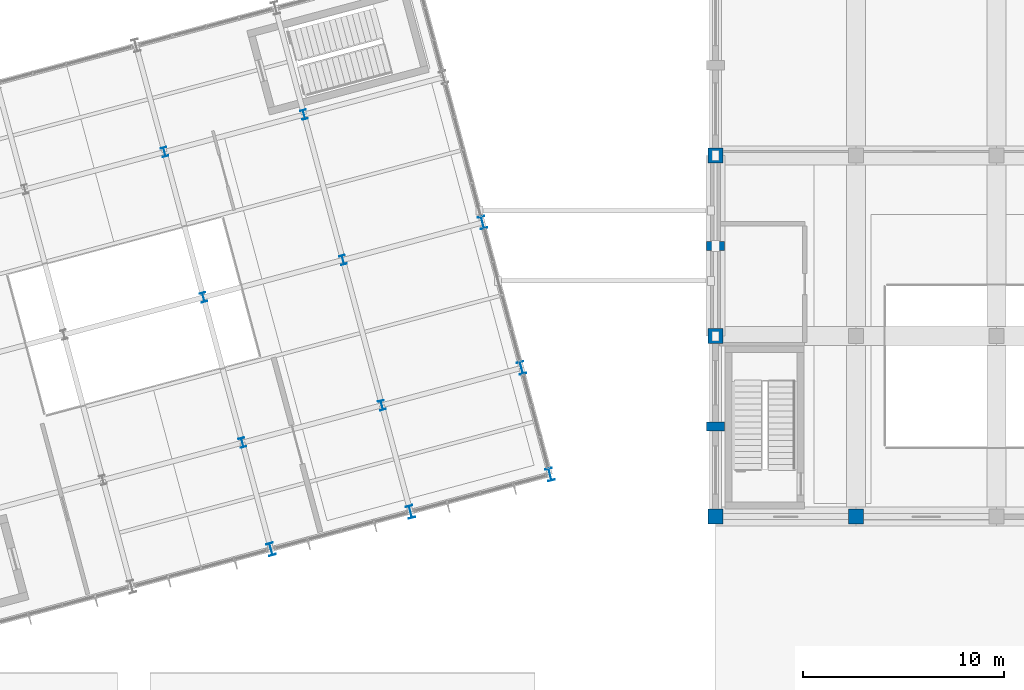
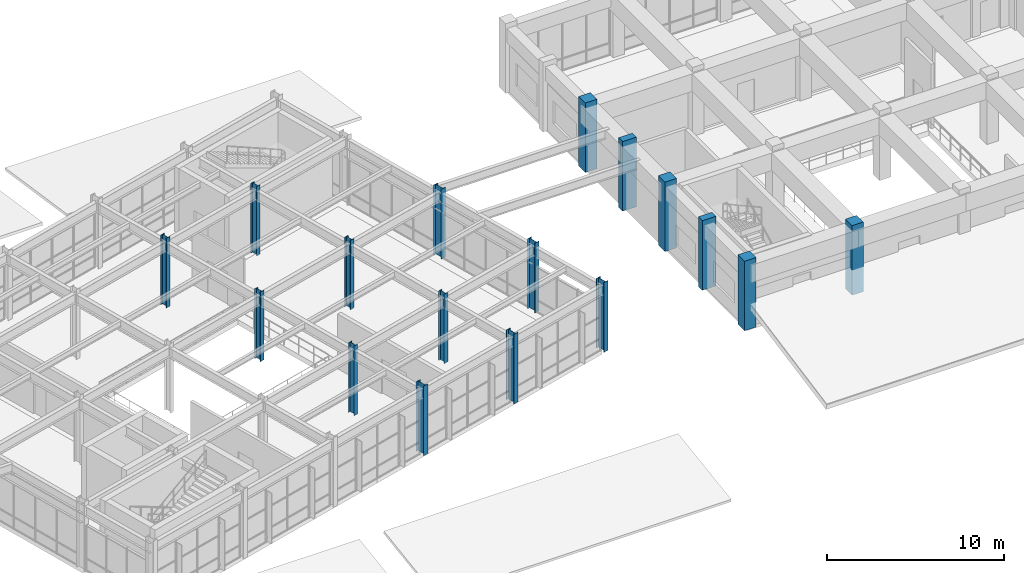
# One storey, part 4 of 104: 17 columns.
"""IFC4 building model written with IfcOpenShell, lengths in metres."""

from ifc_helpers import new_model, si_unit, direction, frame, origin, origin_2d, place, context, subcontext, project, spatial, rectangle, i_section, extrude, material, material_profile, profile_set, type_object, element, save


model = new_model("IFC4")

# Units and contexts
model_context = context("Model", 3, precision=1e-05, world=origin(), true_north=direction((0.0, 1.0)))
body_context = subcontext(model_context, "Body", "Model", "MODEL_VIEW")
ifc_project = project(units=[si_unit("LENGTHUNIT", "METRE"), si_unit("AREAUNIT", "SQUARE_METRE"), si_unit("VOLUMEUNIT", "CUBIC_METRE"), si_unit("PLANEANGLEUNIT", "RADIAN"), si_unit("MASSUNIT", "GRAM", prefix="KILO")], contexts=[model_context])

# Site, building, storey
site_placement = place(None, origin())
site = spatial("IfcSite", under=ifc_project, at=site_placement, CompositionType="ELEMENT")
building_placement = place(site_placement, origin())
building = spatial("IfcBuilding", under=site, at=building_placement, Name="Ventoquebrada Cableway Terminal", CompositionType="ELEMENT")
storey_placement = place(building_placement, frame((0.0, 0.0, 4.800048828125)))
storey = spatial("IfcBuildingStorey", under=building, at=storey_placement, Name="L01", CompositionType="ELEMENT", Elevation=4.800048828125)

# Columns
ifc_material_1 = material(Name="Concrete C40/50", Category="concrete")
ifc_material_profile_1 = material_profile(ifc_material_1, rectangle(XDim=0.75, YDim=0.75, at=origin_2d()), Name="RC-COL-750X750")
ifc_profile_set_1 = profile_set([ifc_material_profile_1], Name="Concrete C40/50")
column_type_1 = type_object("IfcColumnType", Name="COL-RC05", PredefinedType="COLUMN", material=ifc_profile_set_1)
for number, where, z_axis, x_axis, name in (
    (1, (95.0, 77.0, 0.0), (0.0, 0.0, 1.0), (1.0, 0.0, 0.0), "Structural column FC-0408"),
    (2, (95.0, 86.0, 0.0), (0.0, 0.0, 1.0), (1.0, 0.0, 0.0), "Structural column FC-0412"),
    (3, (95.0, 95.0, 0.0), (0.0, 0.0, 1.0), (1.0, 0.0, 0.0), "Structural column FC-0416"),
    (4, (102.0, 77.0, 0.0), (0.0, 0.0, 1.0), (1.0, 0.0, 0.0), "Structural column FC-0426"),
):
    element("IfcColumn", number, at=place(storey_placement, frame(where, z_axis=z_axis, x_axis=x_axis)), inside=storey, type_object=column_type_1, Name=name, PredefinedType="COLUMN", context=body_context, shape_type="SweptSolid", body=[
        extrude(rectangle(XDim=0.75, YDim=0.75, at=origin_2d()), origin(), (0.0, 0.0, 1.0), 4.800048828125),
    ])
ifc_material_2 = material(Name="Steel ASTM A992 Grade 50", Category="steel")
ifc_material_profile_2 = material_profile(ifc_material_2, i_section(OverallWidth=0.281982421875, OverallDepth=0.467041015625, WebThickness=0.01220703125, FlangeThickness=0.01953125, at=origin_2d()), Name="W18X86")
ifc_profile_set_2 = profile_set([ifc_material_profile_2], Name="Steel ASTM A992 Grade 50")
column_type_2 = type_object("IfcColumnType", Name="COL-ST01", PredefinedType="COLUMN", material=ifc_profile_set_2)
for number, where, z_axis, x_axis, name in (
    (5, (71.41796875, 80.68701171875, 0.0), (0.0, 0.0, 1.0), (0.965925826289, 0.258819045103, 0.0), "Structural column FC-0722"),
    (6, (69.47705078125, 87.931884765625, 0.0), (0.0, 0.0, 1.0), (0.965925826289, 0.258819045103, 0.0), "Structural column FC-0725"),
    (7, (67.535888671875, 95.176025390625, 0.0), (0.0, 0.0, 1.0), (0.965925826289, 0.258819045103, 0.0), "Structural column FC-0728"),
    (8, (78.373046875, 82.551025390625, 0.0), (0.0, 0.0, 1.0), (0.965925826289, 0.258819045103, 0.0), "Structural column FC-0741"),
    (9, (76.431884765625, 89.794921875, 0.0), (0.0, 0.0, 1.0), (0.965925826289, 0.258819045103, 0.0), "Structural column FC-0744"),
    (10, (74.490966796875, 97.0400390625, 0.0), (0.0, 0.0, 1.0), (0.965925826289, 0.258819045103, 0.0), "Structural column FC-0747"),
):
    element("IfcColumn", number, at=place(storey_placement, frame(where, z_axis=z_axis, x_axis=x_axis)), inside=storey, type_object=column_type_2, Name=name, PredefinedType="COLUMN", context=body_context, shape_type="SweptSolid", body=[
        extrude(i_section(OverallWidth=0.281982421875, OverallDepth=0.467041015625, WebThickness=0.01220703125, FlangeThickness=0.01953125, at=origin_2d()), origin(), (0.0, 0.0, 1.0), 4.800048828125),
    ])
ifc_material_profile_3 = material_profile(ifc_material_2, i_section(OverallWidth=0.327880859375, OverallDepth=0.6220703125, WebThickness=0.015380859375, FlangeThickness=0.0244140625, at=origin_2d()), Name="W24X131")
ifc_profile_set_3 = profile_set([ifc_material_profile_3], Name="Steel ASTM A992 Grade 50")
column_type_3 = type_object("IfcColumnType", Name="COL-ST02", PredefinedType="COLUMN", material=ifc_profile_set_3)
for number, where, z_axis, x_axis, name in (
    (11, (72.842041015625, 75.375, 0.0), (0.0, 0.0, 1.0), (0.965925826289, 0.258819045103, 0.0), "Structural column FC-0717"),
    (12, (79.797119140625, 77.238037109375, 0.0), (0.0, 0.0, 1.0), (0.965925826289, 0.258819045103, 0.0), "Structural column FC-0736"),
    (13, (86.7509765625, 79.10205078125, 0.0), (0.0, 0.0, 1.0), (0.965925826289, 0.258819045103, 0.0), "Structural column FC-0755"),
    (14, (85.327880859375, 84.4140625, 0.0), (0.0, 0.0, 1.0), (0.965925826289, 0.258819045103, 0.0), "Structural column FC-0760"),
    (15, (83.386962890625, 91.658935546875, 0.0), (0.0, 0.0, 1.0), (0.965925826289, 0.258819045103, 0.0), "Structural column FC-0765"),
):
    element("IfcColumn", number, at=place(storey_placement, frame(where, z_axis=z_axis, x_axis=x_axis)), inside=storey, type_object=column_type_3, Name=name, PredefinedType="COLUMN", context=body_context, shape_type="SweptSolid", body=[
        extrude(i_section(OverallWidth=0.327880859375, OverallDepth=0.6220703125, WebThickness=0.015380859375, FlangeThickness=0.0244140625, at=origin_2d()), origin(), (0.0, 0.0, 1.0), 4.800048828125),
    ])
ifc_material_profile_4 = material_profile(ifc_material_1, rectangle(XDim=0.449951171875, YDim=0.89990234375, at=origin_2d()), Name="RC-PIL-450X900")
ifc_profile_set_4 = profile_set([ifc_material_profile_4], Name="Concrete C40/50")
column_type_4 = type_object("IfcColumnType", Name="PIL-RC02", PredefinedType="PILASTER", material=ifc_profile_set_4)
for number, where, z_axis, x_axis, name in (
    (16, (95.0, 81.5, 0.0), (0.0, 0.0, 1.0), (0.0, 1.0, 0.0), "Facade pilaster FPL-0498"),
    (17, (95.0, 90.5, 0.0), (0.0, 0.0, 1.0), (0.0, 1.0, 0.0), "Facade pilaster FPL-0502"),
):
    element("IfcColumn", number, at=place(storey_placement, frame(where, z_axis=z_axis, x_axis=x_axis)), inside=storey, type_object=column_type_4, Name=name, PredefinedType="PILASTER", context=body_context, shape_type="SweptSolid", body=[
        extrude(rectangle(XDim=0.449951171875, YDim=0.89990234375, at=origin_2d()), origin(), (0.0, 0.0, 1.0), 4.800048828125),
    ])

save(model, "model.ifc")
